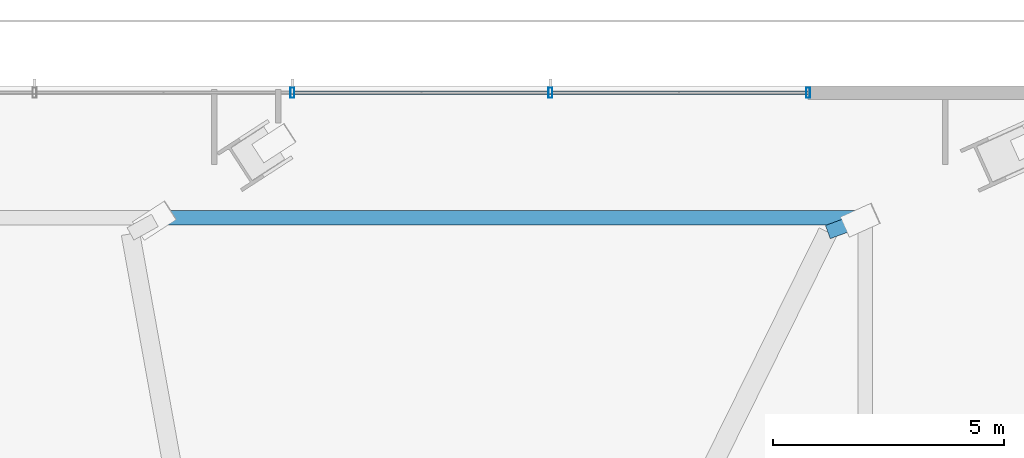
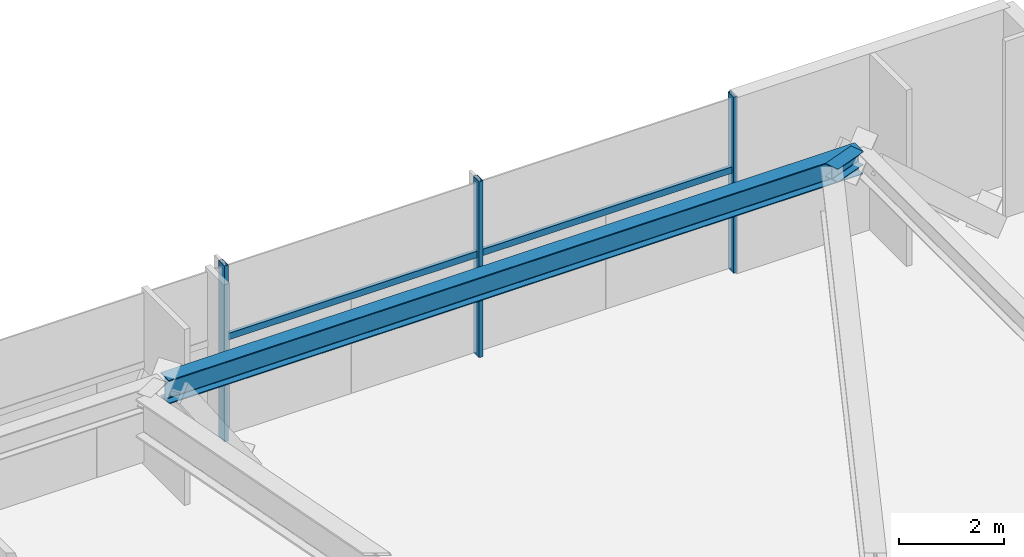
# One storey, part 19 of 30: 5 members, 2 beams, 1 element without a shape of its own.
"""IFC4 building model written with IfcOpenShell, lengths in metres."""

from ifc_helpers import new_model, si_unit, direction, frame, origin, origin_2d, place, context, subcontext, project, spatial, hollow_rectangle, i_section, extrude, source, transform, mapped, material, material_profile, profile_set, type_object, type_shapes, element, aggregate, save


model = new_model("IFC4")

# Units and contexts
model_context = context("Model", 3, precision=1e-05, world=origin(), true_north=direction((0.0, 1.0)))
body_context = subcontext(model_context, "Body", "Model", "MODEL_VIEW")
ifc_project = project(units=[si_unit("LENGTHUNIT", "METRE"), si_unit("AREAUNIT", "SQUARE_METRE"), si_unit("VOLUMEUNIT", "CUBIC_METRE"), si_unit("PLANEANGLEUNIT", "RADIAN"), si_unit("MASSUNIT", "GRAM", prefix="KILO")], contexts=[model_context])

# Site, building, storey
site_placement = place(None, origin())
site = spatial("IfcSite", under=ifc_project, at=site_placement, CompositionType="ELEMENT")
building_placement = place(site_placement, origin())
building = spatial("IfcBuilding", under=site, at=building_placement, Name="Astriad Promenade Condominiums", CompositionType="ELEMENT")
storey_placement = place(building_placement, frame((0.0, 0.0, 14.0)))
storey = spatial("IfcBuildingStorey", under=building, at=storey_placement, Name="L03", CompositionType="ELEMENT", Elevation=14.0)

# Beams
ifc_material_1 = material(Name="Steel ASTM A992 Grade 50", Category="steel")
ifc_material_profile_1 = material_profile(ifc_material_1, i_section(OverallWidth=0.3134765625, OverallDepth=0.54638671875, WebThickness=0.013916015625, FlangeThickness=0.022216796875, FilletRadius=0.0166015625, at=origin_2d()), Name="W21X111")
ifc_profile_set_1 = profile_set([ifc_material_profile_1], Name="Steel ASTM A992 Grade 50")
beam_type_1 = type_object("IfcBeamType", Name="STEEL SPANDREL BEAM W21X111", PredefinedType="SPANDREL", material=ifc_profile_set_1)
shared_shape_1 = source(origin(), body_context, "Body", "SweptSolid", [
    extrude(i_section(OverallWidth=0.3134765625, OverallDepth=0.54638671875, WebThickness=0.013916015625, FlangeThickness=0.022216796875, FilletRadius=0.0166015625, at=origin_2d()), origin(), (0.0, 0.0, 1.0), 15.2119140625),
])
type_shapes(beam_type_1, [shared_shape_1])
beam_1_placement = place(storey_placement, frame((66.647705078125, 30.140380859375, 3.806884765625), z_axis=(-1.0, 0.0, 0.0), x_axis=(0.0, -1.0, 0.0)))
element("IfcBeam", 1, at=beam_1_placement, inside=storey, type_object=beam_type_1, Name="Perimeter Spandrel Beam SP-N4-L03", PredefinedType="SPANDREL", context=body_context, shape_type="MappedRepresentation", body=[
    mapped(shared_shape_1, transform((0.0, 0.0, 0.0), scale=1.0)),
])
ifc_material_profile_2 = material_profile(ifc_material_1, i_section(OverallWidth=0.3046875, OverallDepth=0.307861328125, WebThickness=0.010009765625, FlangeThickness=0.015380859375, FilletRadius=0.01513671875, at=origin_2d()), Name="W12X65")
ifc_profile_set_2 = profile_set([ifc_material_profile_2], Name="Steel ASTM A992 Grade 50")
beam_type_2 = type_object("IfcBeamType", Name="STEEL TRANSFER SPLICE HEADER W12X65", PredefinedType="LINTEL", material=ifc_profile_set_2)
shared_shape_2 = source(origin(), body_context, "Body", "SweptSolid", [
    extrude(i_section(OverallWidth=0.3046875, OverallDepth=0.307861328125, WebThickness=0.010009765625, FlangeThickness=0.015380859375, FilletRadius=0.01513671875, at=origin_2d()), origin(), (0.0, 0.0, 1.0), 0.7578125),
])
type_shapes(beam_type_2, [shared_shape_2])
beam_2_placement = place(storey_placement, frame((66.588623046875, 30.095947265625, 3.926025390625), z_axis=(-0.938469563076, -0.345361953868, 0.0), x_axis=(0.345361953868, -0.938469563076, 0.0)))
element("IfcBeam", 2, at=beam_2_placement, inside=storey, type_object=beam_type_2, Name="Column Transfer Splice Header SPL-PC10-L03", PredefinedType="LINTEL", context=body_context, shape_type="MappedRepresentation", body=[
    mapped(shared_shape_2, transform((0.0, 0.0, 0.0), scale=1.0)),
])

# Curtain wall, members
ifc_material_2 = material(Name="Anodised aluminium Black Dark Glass Unitised", Category="aluminium")
curtain_wall_type = type_object("IfcCurtainWallType", Name="CW-POD-DARK", PredefinedType="USERDEFINED", material=ifc_material_2)
curtain_wall_placement = place(storey_placement, origin())
curtain_wall = element("IfcCurtainWall", 3, at=curtain_wall_placement, inside=storey, type_object=curtain_wall_type, Name="CW-L03-N", ObjectType="UNITISED_CURTAIN_WALL", PredefinedType="USERDEFINED")
ifc_material_3 = material(Name="Anodised aluminium 6063-T6 Black", Category="aluminium")
ifc_material_profile_3 = material_profile(ifc_material_3, hollow_rectangle(XDim=0.0849609375, YDim=0.219970703125, WallThickness=0.0048828125, at=origin_2d()), Name="ALU-MUL-85X220")
ifc_profile_set_3 = profile_set([ifc_material_profile_3], Name="Anodised aluminium 6063-T6 Black")
member_type_1 = type_object("IfcMemberType", Name="MUL-ALU-MUL-85X220", PredefinedType="MULLION", material=ifc_profile_set_3)
shared_shape_3 = source(origin(), body_context, "Body", "SweptSolid", [
    extrude(hollow_rectangle(XDim=0.0849609375, YDim=0.219970703125, WallThickness=0.0048828125, at=origin_2d()), origin(), (0.0, 0.0, 1.0), 4.080078125),
])
type_shapes(member_type_1, [shared_shape_3])
member_1_placement = place(storey_placement, frame((54.2900390625, 32.85009765625, 0.0), z_axis=(0.0, 0.0, 1.0), x_axis=(1.0, 0.0, 0.0)))
member_1 = element("IfcMember", 4, at=member_1_placement, type_object=member_type_1, Name="CW-L03-N-MUL-08", PredefinedType="MULLION", context=body_context, shape_type="MappedRepresentation", body=[
    mapped(shared_shape_3, transform((0.0, 0.0, 0.0), scale=1.0)),
])
member_2_placement = place(storey_placement, frame((59.8701171875, 32.85009765625, 0.0), z_axis=(0.0, 0.0, 1.0), x_axis=(1.0, 0.0, 0.0)))
member_2 = element("IfcMember", 5, at=member_2_placement, type_object=member_type_1, Name="CW-L03-N-MUL-09", PredefinedType="MULLION", context=body_context, shape_type="MappedRepresentation", body=[
    mapped(shared_shape_3, transform((0.0, 0.0, 0.0), scale=1.0)),
])
member_3_placement = place(storey_placement, frame((65.449951171875, 32.85009765625, 0.0), z_axis=(0.0, 0.0, 1.0), x_axis=(1.0, 0.0, 0.0)))
member_3 = element("IfcMember", 6, at=member_3_placement, type_object=member_type_1, Name="CW-L03-N-MUL-10", PredefinedType="MULLION", context=body_context, shape_type="MappedRepresentation", body=[
    mapped(shared_shape_3, transform((0.0, 0.0, 0.0), scale=1.0)),
])
ifc_material_profile_4 = material_profile(ifc_material_3, hollow_rectangle(XDim=0.074951171875, YDim=0.14990234375, WallThickness=0.004150390625, at=origin_2d()), Name="ALU-TRN-75X150")
ifc_profile_set_4 = profile_set([ifc_material_profile_4], Name="Anodised aluminium 6063-T6 Black")
member_type_2 = type_object("IfcMemberType", Name="TRN-ALU-TRN-75X150", PredefinedType="USERDEFINED", material=ifc_profile_set_4)
shared_shape_4 = source(origin(), body_context, "Body", "SweptSolid", [
    extrude(hollow_rectangle(XDim=0.074951171875, YDim=0.14990234375, WallThickness=0.004150390625, at=origin_2d()), origin(), (0.0, 0.0, 1.0), 5.580078125),
])
member_4_placement = place(storey_placement, frame((54.2900390625, 32.85009765625, 2.35009765625), z_axis=(1.0, 0.0, 0.0), x_axis=(0.0, 1.0, 0.0)))
member_4 = element("IfcMember", 7, at=member_4_placement, type_object=member_type_2, Name="CW-L03-N-TRN-08-0", ObjectType="TRANSOM", PredefinedType="USERDEFINED", context=body_context, shape_type="MappedRepresentation", body=[
    mapped(shared_shape_4, transform((0.0, 0.0, 0.0), scale=1.0)),
])
shared_shape_5 = source(origin(), body_context, "Body", "SweptSolid", [
    extrude(hollow_rectangle(XDim=0.074951171875, YDim=0.14990234375, WallThickness=0.004150390625, at=origin_2d()), origin(), (0.0, 0.0, 1.0), 5.579833984375),
])
type_shapes(member_type_2, [shared_shape_4, shared_shape_5])
member_5_placement = place(storey_placement, frame((59.8701171875, 32.85009765625, 2.35009765625), z_axis=(1.0, 0.0, 0.0), x_axis=(0.0, 1.0, 0.0)))
member_5 = element("IfcMember", 8, at=member_5_placement, type_object=member_type_2, Name="CW-L03-N-TRN-09-0", ObjectType="TRANSOM", PredefinedType="USERDEFINED", context=body_context, shape_type="MappedRepresentation", body=[
    mapped(shared_shape_5, transform((0.0, 0.0, 0.0), scale=1.0)),
])
aggregate(curtain_wall, [member_1, member_2, member_3, member_4, member_5])

save(model, "model.ifc")
